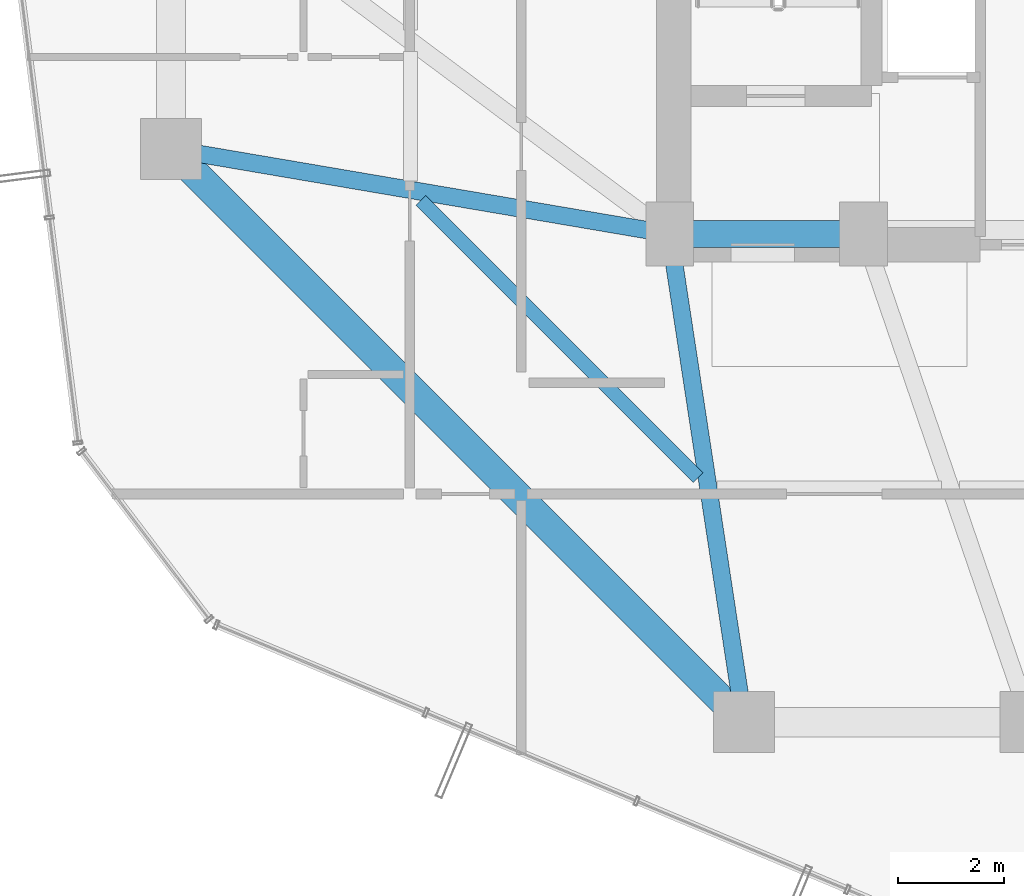
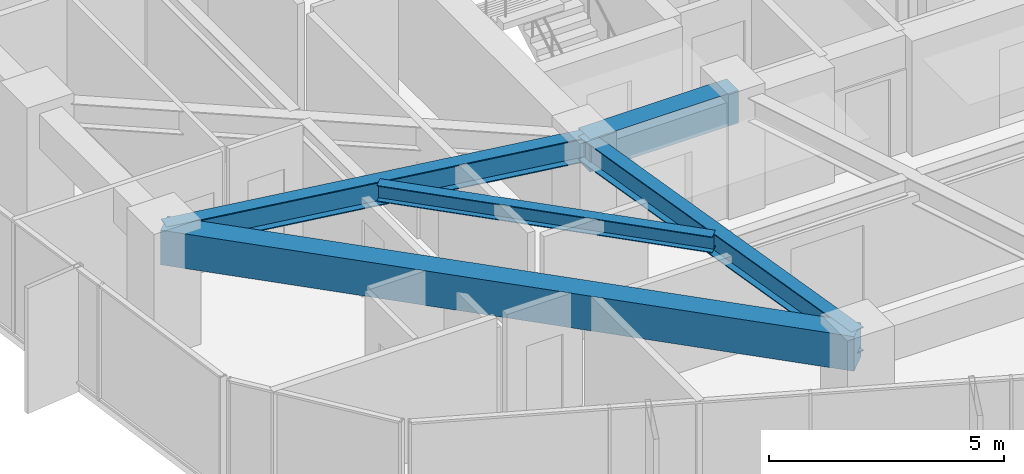
# One storey, part 5 of 33: 5 beams.
"""IFC4 building model written with IfcOpenShell, lengths in metres."""

from ifc_helpers import new_model, si_unit, direction, frame, origin, origin_2d, place, context, subcontext, project, spatial, rectangle, i_section, extrude, material, material_profile, profile_set, type_object, element, save


model = new_model("IFC4")

# Units and contexts
model_context = context("Model", 3, precision=1e-05, world=origin(), true_north=direction((0.0, 1.0)))
body_context = subcontext(model_context, "Body", "Model", "MODEL_VIEW")
ifc_project = project(units=[si_unit("LENGTHUNIT", "METRE"), si_unit("AREAUNIT", "SQUARE_METRE"), si_unit("VOLUMEUNIT", "CUBIC_METRE"), si_unit("PLANEANGLEUNIT", "RADIAN"), si_unit("MASSUNIT", "GRAM", prefix="KILO")], contexts=[model_context])

# Site, building, storey
site_placement = place(None, origin())
site = spatial("IfcSite", under=ifc_project, at=site_placement, CompositionType="ELEMENT")
building_placement = place(site_placement, origin())
building = spatial("IfcBuilding", under=site, at=building_placement, Name="Veraguas Prism Commons", CompositionType="ELEMENT")
storey_placement = place(building_placement, frame((0.0, 0.0, 152.25)))
storey = spatial("IfcBuildingStorey", under=building, at=storey_placement, Name="L43", CompositionType="ELEMENT", Elevation=152.25)

# Beams
ifc_material_1 = material(Name="Concrete C50/60", Category="concrete")
ifc_material_profile_1 = material_profile(ifc_material_1, rectangle(XDim=0.5, YDim=0.85009765625, at=origin_2d()), Name="RC500X850")
ifc_profile_set_1 = profile_set([ifc_material_profile_1], Name="Concrete C50/60")
beam_type_1 = type_object("IfcBeamType", Name="Core Coupling Beam RC 500x850", PredefinedType="BEAM", material=ifc_profile_set_1)
beam_1_placement = place(storey_placement, frame((17.199951171875, 17.0, 2.574951171875), z_axis=(1.0, 0.0, 0.0), x_axis=(0.0, 1.0, 0.0)))
element("IfcBeam", 1, at=beam_1_placement, inside=storey, type_object=beam_type_1, Name="Core Coupling Beam L43-CRS1", PredefinedType="BEAM", context=body_context, shape_type="SweptSolid", body=[
    extrude(rectangle(XDim=0.5, YDim=0.85009765625, at=origin_2d()), origin(), (0.0, 0.0, 1.0), 3.650146484375),
])
ifc_material_2 = material(Name="Steel ASTM A992 Grade 50", Category="steel")
ifc_material_profile_2 = material_profile(ifc_material_2, i_section(OverallWidth=0.260986328125, OverallDepth=0.419921875, WebThickness=0.01171875, FlangeThickness=0.019287109375, at=origin_2d()), Name="W410X114")
ifc_profile_set_2 = profile_set([ifc_material_profile_2], Name="Steel ASTM A992 Grade 50")
beam_type_2 = type_object("IfcBeamType", Name="Lower Floor Joist W410x114", PredefinedType="JOIST", material=ifc_profile_set_2)
beam_2_placement = place(storey_placement, frame((12.510009765625, 17.634033203125, 2.7900390625), z_axis=(0.707090260193, -0.707123301794, 0.0), x_axis=(0.707123301794, 0.707090260193, 0.0)))
element("IfcBeam", 2, at=beam_2_placement, inside=storey, type_object=beam_type_2, Name="Composite Floor Joist L43-JS09", PredefinedType="JOIST", context=body_context, shape_type="SweptSolid", body=[
    extrude(i_section(OverallWidth=0.260986328125, OverallDepth=0.419921875, WebThickness=0.01171875, FlangeThickness=0.019287109375, at=origin_2d()), origin(), (0.0, 0.0, 1.0), 7.388916015625),
])
ifc_material_profile_3 = material_profile(ifc_material_1, rectangle(XDim=0.550048828125, YDim=0.89990234375, at=origin_2d()), Name="RC550X900")
ifc_profile_set_3 = profile_set([ifc_material_profile_3], Name="Concrete C50/60")
beam_type_3 = type_object("IfcBeamType", Name="Perimeter Spandrel Lower RC 550x900", PredefinedType="SPANDREL", material=ifc_profile_set_3)
beam_3_placement = place(storey_placement, frame((7.800048828125, 18.60009765625, 2.550048828125), z_axis=(0.707106781187, -0.707106781187, 0.0), x_axis=(0.707106781187, 0.707106781187, 0.0)))
element("IfcBeam", 3, at=beam_3_placement, inside=storey, type_object=beam_type_3, Name="Perimeter Spandrel Beam L43-SP09", PredefinedType="SPANDREL", context=body_context, shape_type="SweptSolid", body=[
    extrude(rectangle(XDim=0.550048828125, YDim=0.89990234375, at=origin_2d()), origin(), (0.0, 0.0, 1.0), 15.273681640625),
])
ifc_material_profile_4 = material_profile(ifc_material_2, i_section(OverallWidth=0.327880859375, OverallDepth=0.6220703125, WebThickness=0.015380859375, FlangeThickness=0.0244140625, at=origin_2d()), Name="W610X195")
ifc_profile_set_4 = profile_set([ifc_material_profile_4], Name="Steel ASTM A992 Grade 50")
beam_type_4 = type_object("IfcBeamType", Name="Zone 2 Radial Girder W610x195", PredefinedType="BEAM", material=ifc_profile_set_4)
beam_4_placement = place(storey_placement, frame((7.800048828125, 18.60009765625, 2.68896484375), z_axis=(0.985819187151, -0.1678109956, 0.0), x_axis=(0.1678109956, 0.985819187151, 0.0)))
element("IfcBeam", 4, at=beam_4_placement, inside=storey, type_object=beam_type_4, Name="Radial Floor Girder L43-RD09", PredefinedType="BEAM", context=body_context, shape_type="SweptSolid", body=[
    extrude(i_section(OverallWidth=0.327880859375, OverallDepth=0.6220703125, WebThickness=0.015380859375, FlangeThickness=0.0244140625, at=origin_2d()), origin(), (0.0, 0.0, 1.0), 9.53515625),
])
beam_5_placement = place(storey_placement, frame((18.60009765625, 7.800048828125, 2.68896484375), z_axis=(-0.150458162136, 0.98861637729, 0.0), x_axis=(-0.98861637729, -0.150458162136, 0.0)))
element("IfcBeam", 5, at=beam_5_placement, inside=storey, type_object=beam_type_4, Name="Radial Floor Girder L43-RD10", PredefinedType="BEAM", context=body_context, shape_type="SweptSolid", body=[
    extrude(i_section(OverallWidth=0.327880859375, OverallDepth=0.6220703125, WebThickness=0.015380859375, FlangeThickness=0.0244140625, at=origin_2d()), origin(), (0.0, 0.0, 1.0), 9.305908203125),
])

save(model, "model.ifc")
